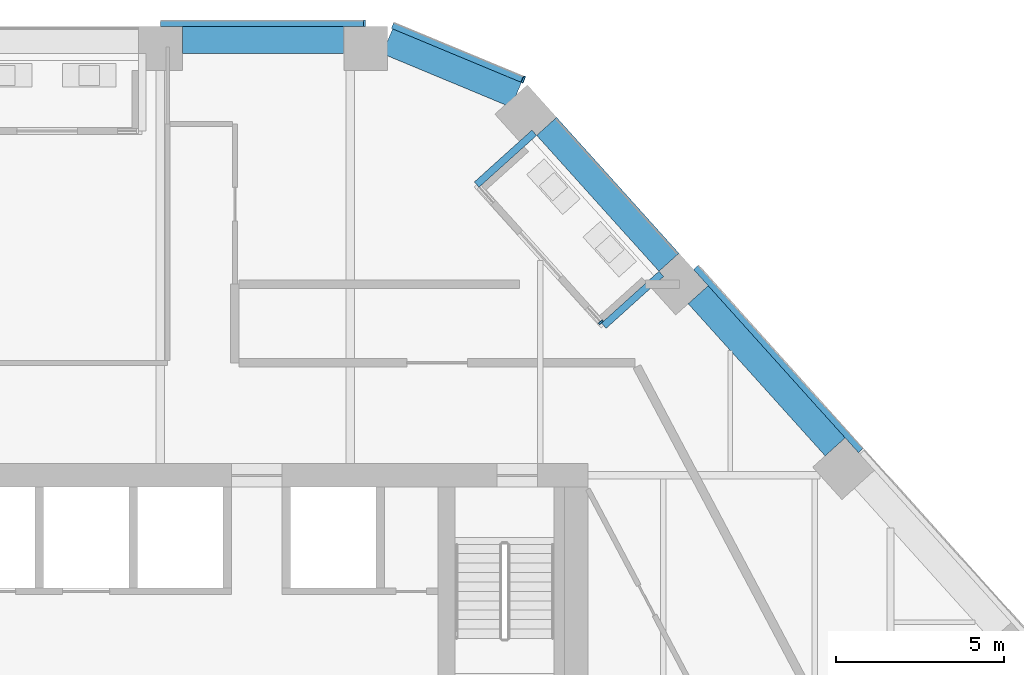
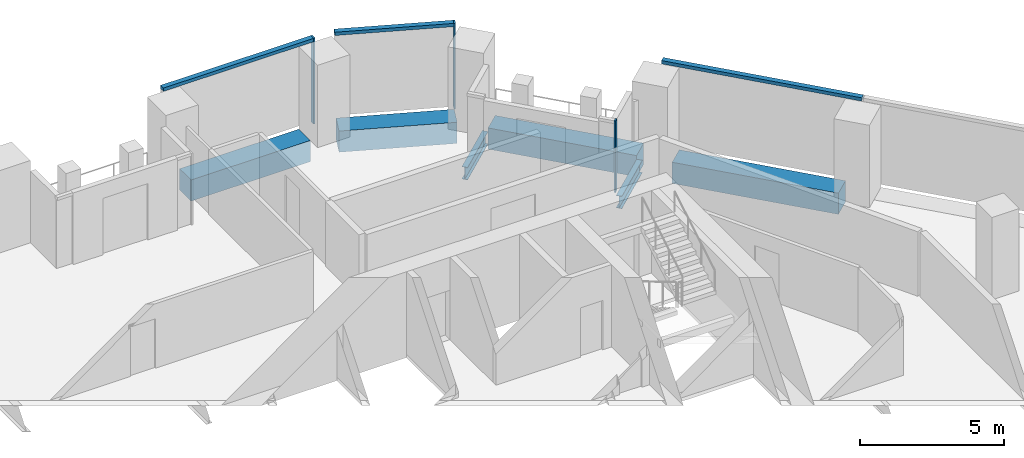
# One storey, part 10 of 25: 6 beams, 6 members, 4 elements without a shape of their own.
"""IFC4 building model written with IfcOpenShell, lengths in metres."""

import ifcopenshell
import ifcopenshell.guid

model = None  # the IFC model being written
_history = None  # IfcOwnerHistory: only IFC2X3 demands one
_inside = {}  # id of a spatial element -> (the spatial element, [elements in it])
_under = {}  # id of a project, library or spatial element -> (it, [spatial elements below it])
_declared = {}  # id of a project -> (the project, [libraries it declares])
_typed = {}  # id of a type object -> (the type object, [elements of that type])
_made_of = {}  # id of a material, layer set ... -> (it, [elements and type objects made of it])


def new_model(schema):
    """Start an empty IFC model of exactly this schema.

    Asked for "IFC4X3", IfcOpenShell would pick the latest addendum, in which some entities
    have other attributes; the version numbers below select the first issue.
    IFC2X3 requires an IfcOwnerHistory on every rooted entity: one is made here for all.
    """
    global model, _history
    if schema == "IFC4X3":
        model = ifcopenshell.file(schema_version=(4, 3, 0, 0))
    else:
        model = ifcopenshell.file(schema=schema)
    _inside.clear()
    _under.clear()
    _declared.clear()
    _typed.clear()
    _made_of.clear()
    _history = None
    if model.schema == "IFC2X3":
        org = make("IfcOrganization", Name="unknown")
        user = make(
            "IfcPersonAndOrganization",
            ThePerson=make("IfcPerson", FamilyName="unknown"),
            TheOrganization=org,
        )
        app = make(
            "IfcApplication",
            ApplicationDeveloper=org,
            Version="unknown",
            ApplicationFullName="unknown",
            ApplicationIdentifier="unknown",
        )
        _history = make(
            "IfcOwnerHistory",
            OwningUser=user,
            OwningApplication=app,
            ChangeAction="ADDED",
            CreationDate=0,
        )
    return model


def make(cls, **values):
    """One entity of the class cls with the attributes given. An attribute that is None is left unset."""
    return model.create_entity(
        cls, **{name: value for name, value in values.items() if value is not None}
    )


def rooted(cls, **values):
    """An entity with a GlobalId (a new one), such as an element, a storey or a relation."""
    return make(cls, GlobalId=ifcopenshell.guid.new(), OwnerHistory=_history, **values)


def si_unit(unit_type, name, prefix=None):
    """IfcSIUnit, for example si_unit("LENGTHUNIT", "METRE", prefix="MILLI")."""
    return make("IfcSIUnit", UnitType=unit_type, Prefix=prefix, Name=name)


def assignment(units):
    """IfcUnitAssignment: the units of a project."""
    return None if units is None else make("IfcUnitAssignment", Units=units)


def point(xyz):
    """IfcCartesianPoint."""
    return None if xyz is None else make("IfcCartesianPoint", Coordinates=xyz)


def direction(xyz):
    """IfcDirection."""
    return None if xyz is None else make("IfcDirection", DirectionRatios=xyz)


def frame(location, z_axis=None, x_axis=None):
    """IfcAxis2Placement3D, a coordinate frame: its origin and axes. An axis left out is left unset."""
    return make(
        "IfcAxis2Placement3D",
        Location=point(location),
        Axis=direction(z_axis),
        RefDirection=direction(x_axis),
    )


def frame_2d(location, x_axis=None):
    """IfcAxis2Placement2D, a coordinate frame in the plane: its origin and x axis."""
    return make(
        "IfcAxis2Placement2D", Location=point(location), RefDirection=direction(x_axis)
    )


def origin():
    """The frame at (0, 0, 0) with its axes left unset."""
    return frame((0.0, 0.0, 0.0))


def origin_2d():
    """The frame at (0, 0) in the plane with its x axis left unset."""
    return frame_2d((0.0, 0.0))


def place(relative_to, where):
    """IfcLocalPlacement: puts the frame where relative to a parent placement (None: the world)."""
    return make(
        "IfcLocalPlacement", PlacementRelTo=relative_to, RelativePlacement=where
    )


def context(
    kind, dimensions, precision=None, world=None, true_north=None, identifier=None
):
    """IfcGeometricRepresentationContext, for example the 3D "Model" context."""
    return make(
        "IfcGeometricRepresentationContext",
        ContextIdentifier=identifier,
        ContextType=kind,
        CoordinateSpaceDimension=dimensions,
        Precision=precision,
        WorldCoordinateSystem=world,
        TrueNorth=true_north,
    )


def subcontext(parent, identifier, kind, view, scale=None):
    """IfcGeometricRepresentationSubContext, for example "Body" below "Model"."""
    return make(
        "IfcGeometricRepresentationSubContext",
        ContextIdentifier=identifier,
        ContextType=kind,
        ParentContext=parent,
        TargetScale=scale,
        TargetView=view,
    )


def project(units=None, contexts=None):
    """IfcProject with its units and contexts."""
    return rooted(
        "IfcProject",
        Name="project",
        RepresentationContexts=contexts,
        UnitsInContext=assignment(units),
    )


def spatial(cls, under=None, at=None, **own):
    """A site, building, storey or space (cls), placed at a placement, below another one or the project."""
    s = rooted(cls, ObjectPlacement=at, **own)
    if under is not None:
        _under.setdefault(under.id(), (under, []))[1].append(s)
    return s


def profile(cls, at=None, kind="AREA", **sizes):
    """A parametric profile (cls). Its sizes go by their IFC names, for example OverallWidth=200.0."""
    return make(cls, ProfileType=kind, Position=at, **sizes)


def rectangle(**sizes):
    """IfcRectangleProfileDef."""
    return profile("IfcRectangleProfileDef", **sizes)


def i_section(**sizes):
    """IfcIShapeProfileDef."""
    return profile("IfcIShapeProfileDef", **sizes)


def extrude(swept, where, along, depth):
    """IfcExtrudedAreaSolid: the profile swept, set in the frame where, extruded along a direction by depth."""
    return make(
        "IfcExtrudedAreaSolid",
        SweptArea=swept,
        Position=where,
        ExtrudedDirection=direction(along),
        Depth=depth,
    )


def shape(context_of_items, identifier, shape_type, items):
    """IfcShapeRepresentation: the items that make up one representation, for example the "Body"."""
    return make(
        "IfcShapeRepresentation",
        ContextOfItems=context_of_items,
        RepresentationIdentifier=identifier,
        RepresentationType=shape_type,
        Items=items,
    )


def material(Name=None, Category=None):
    """IfcMaterial."""
    return make("IfcMaterial", Name=Name, Category=Category)


def layer(
    of_material, thickness, ventilated=None, Name=None, Category=None, Priority=None
):
    """IfcMaterialLayer: one layer of a wall or slab, of a material (None: an air gap)."""
    return make(
        "IfcMaterialLayer",
        Material=of_material,
        LayerThickness=thickness,
        IsVentilated=ventilated,
        Name=Name,
        Category=Category,
        Priority=Priority,
    )


def layer_set(layers, Name=None):
    """IfcMaterialLayerSet."""
    return make("IfcMaterialLayerSet", MaterialLayers=layers, LayerSetName=Name)


def material_profile(
    of_material, cross_section, Name=None, Category=None, Priority=None
):
    """IfcMaterialProfile: a cross section and its material."""
    return make(
        "IfcMaterialProfile",
        Name=Name,
        Material=of_material,
        Profile=cross_section,
        Priority=Priority,
        Category=Category,
    )


def profile_set(profiles, Name=None, composite=None):
    """IfcMaterialProfileSet."""
    return make(
        "IfcMaterialProfileSet",
        Name=Name,
        MaterialProfiles=profiles,
        CompositeProfile=composite,
    )


def made_of(thing, what):
    """Note that an element or type object is made of a material, layer set ...; save() writes the relation."""
    if what is not None:
        _made_of.setdefault(what.id(), (what, []))[1].append(thing)
    return thing


def type_object(cls, material=None, **own):
    """A type object (cls), such as IfcWallType, which elements share."""
    return made_of(rooted(cls, **own), material)


def element(
    cls,
    number,
    at=None,
    inside=None,
    cuts=None,
    type_object=None,
    material=None,
    context=None,
    identifier="Body",
    shape_type=None,
    held_by="IfcProductDefinitionShape",
    body=None,
    shapes=None,
    **own,
):
    """One element of the class cls, such as IfcWall. Its Tag is "e" and its number.

    at: its placement. inside: the storey or other place that contains it. cuts: it is an
    opening in that element (IfcRelVoidsElement). A single representation is given by context,
    identifier, shape_type and body (its items); several are given by shapes. held_by: the class
    of the entity that holds the representations. save() writes the other relations.
    """
    e = rooted(cls, Tag="e%d" % number, ObjectPlacement=at, **own)
    if body is not None:
        shapes = [shape(context, identifier, shape_type, body)]
    if shapes is not None:
        e.Representation = make(held_by, Representations=shapes)
    if inside is not None:
        _inside.setdefault(inside.id(), (inside, []))[1].append(e)
    if cuts is not None:
        rooted(
            "IfcRelVoidsElement", RelatingBuildingElement=cuts, RelatedOpeningElement=e
        )
    if type_object is not None:
        _typed.setdefault(type_object.id(), (type_object, []))[1].append(e)
    return made_of(e, material)


def aggregate(whole, parts):
    """IfcRelAggregates: a whole, such as a stair, and the parts it consists of."""
    return rooted("IfcRelAggregates", RelatingObject=whole, RelatedObjects=parts)


def save(model, path):
    """Write the relations noted so far, then the file.

    IfcRelAggregates (storeys below a building ...), IfcRelContainedInSpatialStructure (elements
    in a storey), IfcRelDefinesByType, IfcRelAssociatesMaterial and IfcRelDeclares: one each for
    every whole, place, type object, material and project.
    """
    for whole, parts in _under.values():
        aggregate(whole, parts)
    for where, things in _inside.values():
        rooted(
            "IfcRelContainedInSpatialStructure",
            RelatedElements=things,
            RelatingStructure=where,
        )
    for kind, things in _typed.values():
        rooted("IfcRelDefinesByType", RelatedObjects=things, RelatingType=kind)
    for what, things in _made_of.values():
        rooted("IfcRelAssociatesMaterial", RelatedObjects=things, RelatingMaterial=what)
    for by, libraries in _declared.values():
        rooted("IfcRelDeclares", RelatingContext=by, RelatedDefinitions=libraries)
    model.write(path)


model = new_model("IFC4")

# Units and contexts
model_context = context("Model", 3, precision=1e-05, world=origin(), true_north=direction((0.0, 1.0)))
body_context = subcontext(model_context, "Body", "Model", "MODEL_VIEW")
ifc_project = project(units=[si_unit("LENGTHUNIT", "METRE"), si_unit("AREAUNIT", "SQUARE_METRE"), si_unit("VOLUMEUNIT", "CUBIC_METRE"), si_unit("PLANEANGLEUNIT", "RADIAN"), si_unit("MASSUNIT", "GRAM", prefix="KILO")], contexts=[model_context])

# Site, building, storey
site_placement = place(None, origin())
site = spatial("IfcSite", under=ifc_project, at=site_placement, CompositionType="ELEMENT")
building_placement = place(site_placement, origin())
building = spatial("IfcBuilding", under=site, at=building_placement, Name="Isthmus Gate Tower", CompositionType="ELEMENT")
storey_placement = place(building_placement, frame((0.0, 0.0, 174.449951171875)))
storey = spatial("IfcBuildingStorey", under=building, at=storey_placement, Name="L43", CompositionType="ELEMENT", Elevation=174.449951171875)

# Curtain wall, member
ifc_material_1 = material(Name="Aluminium, pale champagne anodised", Category="aluminium")
ifc_layer_1 = layer(ifc_material_1, 0.199951171875)
ifc_layer_set_1 = layer_set([ifc_layer_1], Name="CW-1 UNITISED CURTAIN WALL 200 DEEP")
curtain_wall_type_1 = type_object("IfcCurtainWallType", Name="CW-1 UNITISED CURTAIN WALL 200 DEEP", PredefinedType="NOTDEFINED", material=ifc_layer_set_1)
curtain_wall_1_placement = place(storey_placement, origin())
curtain_wall_1 = element("IfcCurtainWall", 1, at=curtain_wall_1_placement, inside=storey, type_object=curtain_wall_type_1, Name="CW-1 N L43", PredefinedType="NOTDEFINED")
ifc_material_2 = material(Name="Aluminium, pale champagne anodised", Category="aluminium")
ifc_material_profile_1 = material_profile(ifc_material_2, rectangle(XDim=0.06005859375, YDim=0.199951171875, at=origin_2d()), Name="60x200")
ifc_profile_set_1 = profile_set([ifc_material_profile_1], Name="Aluminium, pale champagne anodised")
member_type_1 = type_object("IfcMemberType", Name="CW-1 MULLION 60 X 200", PredefinedType="MULLION", material=ifc_profile_set_1)
member_1_placement = place(storey_placement, frame((8.358642578125, 28.10009765625, 0.0), z_axis=(0.0, 0.0, 1.0), x_axis=(-1.0, 0.0, 0.0)))
member_1 = element("IfcMember", 2, at=member_1_placement, type_object=member_type_1, Name="CW-1 mullion", PredefinedType="MULLION", context=body_context, shape_type="SweptSolid", body=[
    extrude(rectangle(XDim=0.06005859375, YDim=0.199951171875, at=origin_2d()), origin(), (0.0, 0.0, 1.0), 3.650146484375),
])

curtain_wall_2_placement = place(storey_placement, origin())
curtain_wall_2 = element("IfcCurtainWall", 3, at=curtain_wall_2_placement, inside=storey, type_object=curtain_wall_type_1, Name="CW-1 NE-N L43", PredefinedType="NOTDEFINED")
member_2_placement = place(storey_placement, frame((13.080810546875, 26.427490234375, 0.0), z_axis=(0.0, 0.0, 1.0), x_axis=(-0.923353128387, 0.383951820282, 0.0)))
member_2 = element("IfcMember", 4, at=member_2_placement, type_object=member_type_1, Name="CW-1 mullion", PredefinedType="MULLION", context=body_context, shape_type="SweptSolid", body=[
    extrude(rectangle(XDim=0.06005859375, YDim=0.199951171875, at=origin_2d()), origin(), (0.0, 0.0, 1.0), 3.650146484375),
])

# Member
ifc_material_3 = material(Name="Aluminium, pale champagne anodised", Category="aluminium")
ifc_material_profile_2 = material_profile(ifc_material_3, rectangle(XDim=0.199951171875, YDim=0.139892578125, at=origin_2d()), Name="200x140")
ifc_profile_set_2 = profile_set([ifc_material_profile_2], Name="Aluminium, pale champagne anodised")
member_type_2 = type_object("IfcMemberType", Name="CW-1 TRANSOM 200 X 140", PredefinedType="USERDEFINED", material=ifc_profile_set_2)
member_3_placement = place(storey_placement, frame((8.32861328125, 28.10009765625, 3.580078125), z_axis=(-1.0, 0.0, 0.0), x_axis=(0.0, -1.0, 0.0)))
member_3 = element("IfcMember", 5, at=member_3_placement, type_object=member_type_2, Name="CW-1 transom", ObjectType="TRANSOM", PredefinedType="USERDEFINED", context=body_context, shape_type="SweptSolid", body=[
    extrude(rectangle(XDim=0.199951171875, YDim=0.139892578125, at=origin_2d()), origin(), (0.0, 0.0, 1.0), 6.040283203125),
])

aggregate(curtain_wall_1, [member_1, member_3])

# Curtain wall, member
curtain_wall_3_placement = place(storey_placement, origin())
curtain_wall_3 = element("IfcCurtainWall", 6, at=curtain_wall_3_placement, inside=storey, type_object=curtain_wall_type_1, Name="CW-1 NE L43", PredefinedType="NOTDEFINED")
member_4_placement = place(storey_placement, frame((23.126708984375, 15.3955078125, 3.580078125), z_axis=(-0.669137671884, 0.743138463589, 0.0), x_axis=(-0.743138463589, -0.669137671884, 0.0)))
member_4 = element("IfcMember", 7, at=member_4_placement, type_object=member_type_2, Name="CW-1 transom", ObjectType="TRANSOM", PredefinedType="USERDEFINED", context=body_context, shape_type="SweptSolid", body=[
    extrude(rectangle(XDim=0.199951171875, YDim=0.139892578125, at=origin_2d()), origin(), (0.0, 0.0, 1.0), 7.330810546875),
])
aggregate(curtain_wall_3, [member_4])

# Member
member_5_placement = place(storey_placement, frame((13.05322265625, 26.43896484375, 3.580078125), z_axis=(-0.923358236369, 0.383939536033, 0.0), x_axis=(-0.383939536033, -0.923358236369, 0.0)))
member_5 = element("IfcMember", 8, at=member_5_placement, type_object=member_type_2, Name="CW-1 transom", ObjectType="TRANSOM", PredefinedType="USERDEFINED", context=body_context, shape_type="SweptSolid", body=[
    extrude(rectangle(XDim=0.199951171875, YDim=0.139892578125, at=origin_2d()), origin(), (0.0, 0.0, 1.0), 4.181640625),
])

aggregate(curtain_wall_2, [member_2, member_5])

# Curtain wall, member
ifc_material_4 = material(Name="Aluminium, pale champagne anodised", Category="aluminium")
ifc_layer_2 = layer(ifc_material_4, 0.14990234375)
ifc_layer_set_2 = layer_set([ifc_layer_2], Name="CW-6 LOGGIA BACK WALL GLAZING 150 DEEP")
curtain_wall_type_2 = type_object("IfcCurtainWallType", Name="CW-6 LOGGIA BACK WALL GLAZING 150 DEEP", PredefinedType="NOTDEFINED", material=ifc_layer_set_2)
curtain_wall_4_placement = place(storey_placement, origin())
curtain_wall_4 = element("IfcCurtainWall", 9, at=curtain_wall_4_placement, inside=storey, type_object=curtain_wall_type_2, Name="CW-6 NE L43", PredefinedType="NOTDEFINED")
ifc_material_5 = material(Name="Aluminium, pale champagne anodised", Category="aluminium")
ifc_material_profile_3 = material_profile(ifc_material_5, rectangle(XDim=0.06005859375, YDim=0.14990234375, at=origin_2d()), Name="60x150")
ifc_profile_set_3 = profile_set([ifc_material_profile_3], Name="Aluminium, pale champagne anodised")
member_type_3 = type_object("IfcMemberType", Name="CW-6 MULLION 60 X 150", PredefinedType="MULLION", material=ifc_profile_set_3)
member_6_placement = place(storey_placement, frame((15.388427734375, 19.20751953125, 0.0), z_axis=(0.0, 0.0, 1.0), x_axis=(-0.669130606359, 0.743144825477, 0.0)))
member_6 = element("IfcMember", 10, at=member_6_placement, type_object=member_type_3, Name="CW-6 mullion", PredefinedType="MULLION", context=body_context, shape_type="SweptSolid", body=[
    extrude(rectangle(XDim=0.06005859375, YDim=0.14990234375, at=origin_2d()), origin(), (0.0, 0.0, 1.0), 3.050048828125),
])
aggregate(curtain_wall_4, [member_6])

# Beams
ifc_material_6 = material(Name="Concrete f'c 60 MPa", Category="concrete")
ifc_material_profile_4 = material_profile(ifc_material_6, rectangle(XDim=0.800048828125, YDim=0.89990234375, at=origin_2d()), Name="RC 800X900")
ifc_profile_set_4 = profile_set([ifc_material_profile_4], Name="Concrete f'c 60 MPa")
beam_type_1 = type_object("IfcBeamType", Name="RC SPANDREL 800 X 900", PredefinedType="SPANDREL", material=ifc_profile_set_4)
beam_1_placement = place(storey_placement, frame((9.03857421875, 27.56689453125, -0.449951171875), z_axis=(0.923342835736, -0.383976571805, 0.0), x_axis=(0.383976571805, 0.923342835736, 0.0)))
element("IfcBeam", 11, at=beam_1_placement, inside=storey, type_object=beam_type_1, Name="str-spandrel-L43-00", PredefinedType="SPANDREL", context=body_context, shape_type="SweptSolid", body=[
    extrude(rectangle(XDim=0.800048828125, YDim=0.89990234375, at=origin_2d()), origin(), (0.0, 0.0, 1.0), 4.152587890625),
])
beam_2_placement = place(storey_placement, frame((13.7744140625, 25.03515625, -0.449951171875), z_axis=(0.669118419563, -0.743155798337, 0.0), x_axis=(0.743155798337, 0.669118419563, 0.0)))
element("IfcBeam", 12, at=beam_2_placement, inside=storey, type_object=beam_type_1, Name="str-spandrel-L43-01", PredefinedType="SPANDREL", context=body_context, shape_type="SweptSolid", body=[
    extrude(rectangle(XDim=0.800048828125, YDim=0.89990234375, at=origin_2d()), origin(), (0.0, 0.0, 1.0), 5.44091796875),
])
beam_3_placement = place(storey_placement, frame((18.284912109375, 20.025634765625, -0.449951171875), z_axis=(0.669119737495, -0.743154611703, 0.0), x_axis=(0.743154611703, 0.669119737495, 0.0)))
element("IfcBeam", 13, at=beam_3_placement, inside=storey, type_object=beam_type_1, Name="str-spandrel-L43-02", PredefinedType="SPANDREL", context=body_context, shape_type="SweptSolid", body=[
    extrude(rectangle(XDim=0.800048828125, YDim=0.89990234375, at=origin_2d()), origin(), (0.0, 0.0, 1.0), 6.0908203125),
])
beam_4_placement = place(storey_placement, frame((2.9384765625, 27.60009765625, -0.449951171875), z_axis=(1.0, 0.0, 0.0), x_axis=(0.0, 1.0, 0.0)))
element("IfcBeam", 14, at=beam_4_placement, inside=storey, type_object=beam_type_1, Name="str-spandrel-L43-29", PredefinedType="SPANDREL", context=body_context, shape_type="SweptSolid", body=[
    extrude(rectangle(XDim=0.800048828125, YDim=0.89990234375, at=origin_2d()), origin(), (0.0, 0.0, 1.0), 4.800048828125),
])
ifc_material_7 = material(Name="Structural steel ASTM A992 Gr 50", Category="steel")
ifc_material_profile_5 = material_profile(ifc_material_7, i_section(OverallWidth=0.20947265625, OverallDepth=0.533447265625, WebThickness=0.009521484375, FlangeThickness=0.015869140625, at=origin_2d()), Name="W21X62")
ifc_profile_set_5 = profile_set([ifc_material_profile_5], Name="Structural steel ASTM A992 Gr 50")
beam_type_2 = type_object("IfcBeamType", Name="STEEL TRIMMER W21X62", PredefinedType="BEAM", material=ifc_profile_set_5)
for number, where, z_axis, x_axis, name in (
    (15, (17.187744140625, 20.646240234375, -0.416748046875), (-0.743109762025, -0.669169546217, 0.0), (0.669169546217, -0.743109762025, 0.0), "str-loggiatrim-L43-05-A"),
    (16, (13.406982421875, 24.84521484375, -0.416748046875), (-0.743109762025, -0.669169546217, 0.0), (0.669169546217, -0.743109762025, 0.0), "str-loggiatrim-L43-05-C"),
):
    element("IfcBeam", number, at=place(storey_placement, frame(where, z_axis=z_axis, x_axis=x_axis)), inside=storey, type_object=beam_type_2, Name=name, PredefinedType="BEAM", context=body_context, shape_type="SweptSolid", body=[
        extrude(i_section(OverallWidth=0.20947265625, OverallDepth=0.533447265625, WebThickness=0.009521484375, FlangeThickness=0.015869140625, at=origin_2d()), origin(), (0.0, 0.0, 1.0), 2.3046875),
    ])

save(model, "model.ifc")
